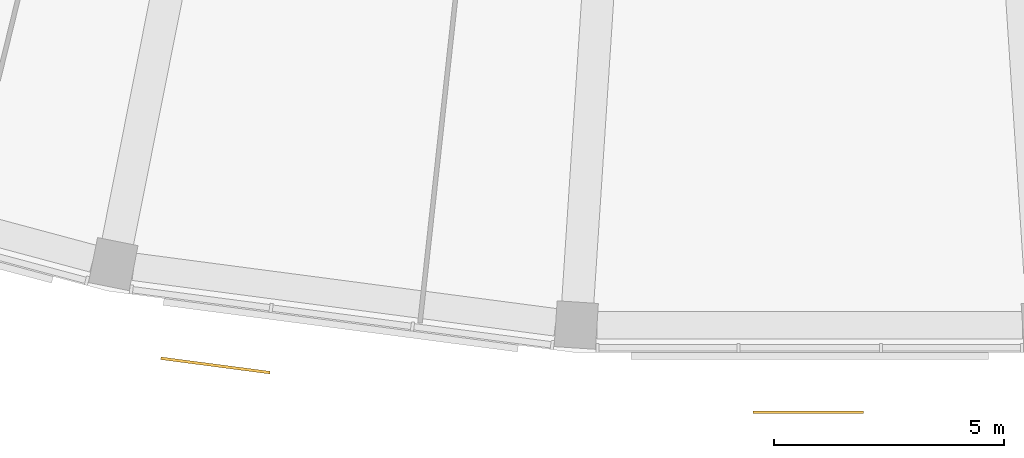
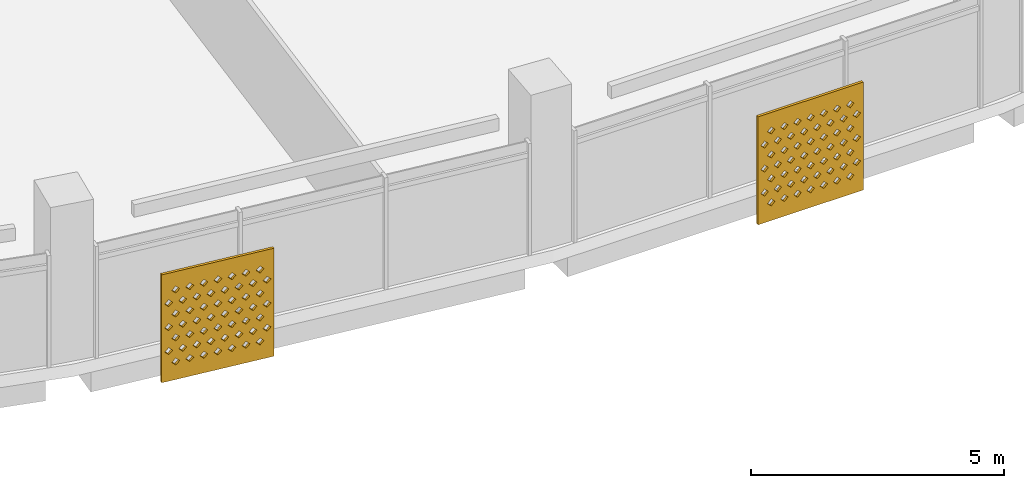
# One storey, part 25 of 29: 2 shading devices.
"""IFC4 building model written with IfcOpenShell, lengths in metres."""

from ifc_helpers import new_model, si_unit, direction, frame, origin, place, context, subcontext, project, spatial, polyline, outline, extrude, material, material_profile, profile_set, type_object, element, save


model = new_model("IFC4")

# Units and contexts
model_context = context("Model", 3, precision=1e-05, world=origin(), true_north=direction((0.0, 1.0)))
body_context = subcontext(model_context, "Body", "Model", "MODEL_VIEW")
ifc_project = project(units=[si_unit("LENGTHUNIT", "METRE"), si_unit("AREAUNIT", "SQUARE_METRE"), si_unit("VOLUMEUNIT", "CUBIC_METRE"), si_unit("PLANEANGLEUNIT", "RADIAN"), si_unit("MASSUNIT", "GRAM", prefix="KILO")], contexts=[model_context])

# Site, building, storey
site_placement = place(None, origin())
site = spatial("IfcSite", under=ifc_project, at=site_placement, CompositionType="ELEMENT")
building_placement = place(site_placement, origin())
building = spatial("IfcBuilding", under=site, at=building_placement, Name="Qamariyya Broadcast Tower", CompositionType="ELEMENT")
storey_placement = place(building_placement, frame((0.0, 0.0, 261.89990234375)))
storey = spatial("IfcBuildingStorey", under=building, at=storey_placement, Name="L63", CompositionType="ELEMENT", Elevation=261.89990234375)

# Shading devices
ifc_material = material(Name="Perforated glazed terracotta", Category="masonry")
ifc_material_profile = material_profile(ifc_material, outline(polyline([(-1.199951171875, -1.300048828125), (1.199951171875, -1.300048828125), (1.199951171875, 1.300048828125), (-1.199951171875, 1.300048828125), (-1.199951171875, -1.300048828125)]), holes=[polyline([(-0.81494140625, -0.86669921875), (-0.89990234375, -0.78173828125), (-0.985107421875, -0.86669921875), (-0.89990234375, -0.95166015625), (-0.81494140625, -0.86669921875)]), polyline([(-0.514892578125, -0.86669921875), (-0.60009765625, -0.78173828125), (-0.68505859375, -0.86669921875), (-0.60009765625, -0.95166015625), (-0.514892578125, -0.86669921875)]), polyline([(-0.215087890625, -0.86669921875), (-0.300048828125, -0.78173828125), (-0.385009765625, -0.86669921875), (-0.300048828125, -0.95166015625), (-0.215087890625, -0.86669921875)]), polyline([(0.0849609375, -0.86669921875), (0.0, -0.78173828125), (-0.0849609375, -0.86669921875), (0.0, -0.95166015625), (0.0849609375, -0.86669921875)]), polyline([(0.385009765625, -0.86669921875), (0.300048828125, -0.78173828125), (0.215087890625, -0.86669921875), (0.300048828125, -0.95166015625), (0.385009765625, -0.86669921875)]), polyline([(0.68505859375, -0.86669921875), (0.60009765625, -0.78173828125), (0.514892578125, -0.86669921875), (0.60009765625, -0.95166015625), (0.68505859375, -0.86669921875)]), polyline([(0.985107421875, -0.86669921875), (0.89990234375, -0.78173828125), (0.81494140625, -0.86669921875), (0.89990234375, -0.95166015625), (0.985107421875, -0.86669921875)]), polyline([(-0.965087890625, -0.577880859375), (-1.050048828125, -0.49267578125), (-1.135009765625, -0.577880859375), (-1.050048828125, -0.662841796875), (-0.965087890625, -0.577880859375)]), polyline([(-0.6650390625, -0.577880859375), (-0.75, -0.49267578125), (-0.8349609375, -0.577880859375), (-0.75, -0.662841796875), (-0.6650390625, -0.577880859375)]), polyline([(-0.364990234375, -0.577880859375), (-0.449951171875, -0.49267578125), (-0.534912109375, -0.577880859375), (-0.449951171875, -0.662841796875), (-0.364990234375, -0.577880859375)]), polyline([(-0.06494140625, -0.577880859375), (-0.14990234375, -0.49267578125), (-0.235107421875, -0.577880859375), (-0.14990234375, -0.662841796875), (-0.06494140625, -0.577880859375)]), polyline([(0.235107421875, -0.577880859375), (0.14990234375, -0.49267578125), (0.06494140625, -0.577880859375), (0.14990234375, -0.662841796875), (0.235107421875, -0.577880859375)]), polyline([(0.534912109375, -0.577880859375), (0.449951171875, -0.49267578125), (0.364990234375, -0.577880859375), (0.449951171875, -0.662841796875), (0.534912109375, -0.577880859375)]), polyline([(0.8349609375, -0.577880859375), (0.75, -0.49267578125), (0.6650390625, -0.577880859375), (0.75, -0.662841796875), (0.8349609375, -0.577880859375)]), polyline([(1.135009765625, -0.577880859375), (1.050048828125, -0.49267578125), (0.965087890625, -0.577880859375), (1.050048828125, -0.662841796875), (1.135009765625, -0.577880859375)]), polyline([(-0.81494140625, -0.288818359375), (-0.89990234375, -0.203857421875), (-0.985107421875, -0.288818359375), (-0.89990234375, -0.373779296875), (-0.81494140625, -0.288818359375)]), polyline([(-0.514892578125, -0.288818359375), (-0.60009765625, -0.203857421875), (-0.68505859375, -0.288818359375), (-0.60009765625, -0.373779296875), (-0.514892578125, -0.288818359375)]), polyline([(-0.215087890625, -0.288818359375), (-0.300048828125, -0.203857421875), (-0.385009765625, -0.288818359375), (-0.300048828125, -0.373779296875), (-0.215087890625, -0.288818359375)]), polyline([(0.0849609375, -0.288818359375), (0.0, -0.203857421875), (-0.0849609375, -0.288818359375), (0.0, -0.373779296875), (0.0849609375, -0.288818359375)]), polyline([(0.385009765625, -0.288818359375), (0.300048828125, -0.203857421875), (0.215087890625, -0.288818359375), (0.300048828125, -0.373779296875), (0.385009765625, -0.288818359375)]), polyline([(0.68505859375, -0.288818359375), (0.60009765625, -0.203857421875), (0.514892578125, -0.288818359375), (0.60009765625, -0.373779296875), (0.68505859375, -0.288818359375)]), polyline([(0.985107421875, -0.288818359375), (0.89990234375, -0.203857421875), (0.81494140625, -0.288818359375), (0.89990234375, -0.373779296875), (0.985107421875, -0.288818359375)]), polyline([(-0.965087890625, 0.0), (-1.050048828125, 0.0849609375), (-1.135009765625, 0.0), (-1.050048828125, -0.0849609375), (-0.965087890625, 0.0)]), polyline([(-0.6650390625, 0.0), (-0.75, 0.0849609375), (-0.8349609375, 0.0), (-0.75, -0.0849609375), (-0.6650390625, 0.0)]), polyline([(-0.364990234375, 0.0), (-0.449951171875, 0.0849609375), (-0.534912109375, 0.0), (-0.449951171875, -0.0849609375), (-0.364990234375, 0.0)]), polyline([(-0.06494140625, 0.0), (-0.14990234375, 0.0849609375), (-0.235107421875, 0.0), (-0.14990234375, -0.0849609375), (-0.06494140625, 0.0)]), polyline([(0.235107421875, 0.0), (0.14990234375, 0.0849609375), (0.06494140625, 0.0), (0.14990234375, -0.0849609375), (0.235107421875, 0.0)]), polyline([(0.534912109375, 0.0), (0.449951171875, 0.0849609375), (0.364990234375, 0.0), (0.449951171875, -0.0849609375), (0.534912109375, 0.0)]), polyline([(0.8349609375, 0.0), (0.75, 0.0849609375), (0.6650390625, 0.0), (0.75, -0.0849609375), (0.8349609375, 0.0)]), polyline([(1.135009765625, 0.0), (1.050048828125, 0.0849609375), (0.965087890625, 0.0), (1.050048828125, -0.0849609375), (1.135009765625, 0.0)]), polyline([(-0.81494140625, 0.288818359375), (-0.89990234375, 0.373779296875), (-0.985107421875, 0.288818359375), (-0.89990234375, 0.203857421875), (-0.81494140625, 0.288818359375)]), polyline([(-0.514892578125, 0.288818359375), (-0.60009765625, 0.373779296875), (-0.68505859375, 0.288818359375), (-0.60009765625, 0.203857421875), (-0.514892578125, 0.288818359375)]), polyline([(-0.215087890625, 0.288818359375), (-0.300048828125, 0.373779296875), (-0.385009765625, 0.288818359375), (-0.300048828125, 0.203857421875), (-0.215087890625, 0.288818359375)]), polyline([(0.0849609375, 0.288818359375), (0.0, 0.373779296875), (-0.0849609375, 0.288818359375), (0.0, 0.203857421875), (0.0849609375, 0.288818359375)]), polyline([(0.385009765625, 0.288818359375), (0.300048828125, 0.373779296875), (0.215087890625, 0.288818359375), (0.300048828125, 0.203857421875), (0.385009765625, 0.288818359375)]), polyline([(0.68505859375, 0.288818359375), (0.60009765625, 0.373779296875), (0.514892578125, 0.288818359375), (0.60009765625, 0.203857421875), (0.68505859375, 0.288818359375)]), polyline([(0.985107421875, 0.288818359375), (0.89990234375, 0.373779296875), (0.81494140625, 0.288818359375), (0.89990234375, 0.203857421875), (0.985107421875, 0.288818359375)]), polyline([(-0.965087890625, 0.577880859375), (-1.050048828125, 0.662841796875), (-1.135009765625, 0.577880859375), (-1.050048828125, 0.49267578125), (-0.965087890625, 0.577880859375)]), polyline([(-0.6650390625, 0.577880859375), (-0.75, 0.662841796875), (-0.8349609375, 0.577880859375), (-0.75, 0.49267578125), (-0.6650390625, 0.577880859375)]), polyline([(-0.364990234375, 0.577880859375), (-0.449951171875, 0.662841796875), (-0.534912109375, 0.577880859375), (-0.449951171875, 0.49267578125), (-0.364990234375, 0.577880859375)]), polyline([(-0.06494140625, 0.577880859375), (-0.14990234375, 0.662841796875), (-0.235107421875, 0.577880859375), (-0.14990234375, 0.49267578125), (-0.06494140625, 0.577880859375)]), polyline([(0.235107421875, 0.577880859375), (0.14990234375, 0.662841796875), (0.06494140625, 0.577880859375), (0.14990234375, 0.49267578125), (0.235107421875, 0.577880859375)]), polyline([(0.534912109375, 0.577880859375), (0.449951171875, 0.662841796875), (0.364990234375, 0.577880859375), (0.449951171875, 0.49267578125), (0.534912109375, 0.577880859375)]), polyline([(0.8349609375, 0.577880859375), (0.75, 0.662841796875), (0.6650390625, 0.577880859375), (0.75, 0.49267578125), (0.8349609375, 0.577880859375)]), polyline([(1.135009765625, 0.577880859375), (1.050048828125, 0.662841796875), (0.965087890625, 0.577880859375), (1.050048828125, 0.49267578125), (1.135009765625, 0.577880859375)]), polyline([(-0.81494140625, 0.86669921875), (-0.89990234375, 0.95166015625), (-0.985107421875, 0.86669921875), (-0.89990234375, 0.78173828125), (-0.81494140625, 0.86669921875)]), polyline([(-0.514892578125, 0.86669921875), (-0.60009765625, 0.95166015625), (-0.68505859375, 0.86669921875), (-0.60009765625, 0.78173828125), (-0.514892578125, 0.86669921875)]), polyline([(-0.215087890625, 0.86669921875), (-0.300048828125, 0.95166015625), (-0.385009765625, 0.86669921875), (-0.300048828125, 0.78173828125), (-0.215087890625, 0.86669921875)]), polyline([(0.0849609375, 0.86669921875), (0.0, 0.95166015625), (-0.0849609375, 0.86669921875), (0.0, 0.78173828125), (0.0849609375, 0.86669921875)]), polyline([(0.385009765625, 0.86669921875), (0.300048828125, 0.95166015625), (0.215087890625, 0.86669921875), (0.300048828125, 0.78173828125), (0.385009765625, 0.86669921875)]), polyline([(0.68505859375, 0.86669921875), (0.60009765625, 0.95166015625), (0.514892578125, 0.86669921875), (0.60009765625, 0.78173828125), (0.68505859375, 0.86669921875)]), polyline([(0.985107421875, 0.86669921875), (0.89990234375, 0.95166015625), (0.81494140625, 0.86669921875), (0.89990234375, 0.78173828125), (0.985107421875, 0.86669921875)])]))
ifc_profile_set = profile_set([ifc_material_profile], Name="Perforated glazed terracotta")
shading_device_type = type_object("IfcShadingDeviceType", Name="Perforated terracotta screen 2400 x 2600", PredefinedType="USERDEFINED", material=ifc_profile_set)
shading_device_1_placement = place(storey_placement, frame((-12.941650390625, -78.43408203125, 1.35009765625), z_axis=(-0.13056005306, -0.991440402921, 0.0), x_axis=(0.991440402921, -0.13056005306, 0.0)))
element("IfcShadingDevice", 1, at=shading_device_1_placement, inside=storey, type_object=shading_device_type, Name="e-scr-L63-06-0", ObjectType="SCREEN", PredefinedType="USERDEFINED", context=body_context, shape_type="SweptSolid", body=[
    extrude(outline(polyline([(-1.199951171875, -1.300048828125), (1.199951171875, -1.300048828125), (1.199951171875, 1.300048828125), (-1.199951171875, 1.300048828125), (-1.199951171875, -1.300048828125)]), holes=[polyline([(-0.81494140625, -0.86669921875), (-0.89990234375, -0.78173828125), (-0.985107421875, -0.86669921875), (-0.89990234375, -0.95166015625), (-0.81494140625, -0.86669921875)]), polyline([(-0.514892578125, -0.86669921875), (-0.60009765625, -0.78173828125), (-0.68505859375, -0.86669921875), (-0.60009765625, -0.95166015625), (-0.514892578125, -0.86669921875)]), polyline([(-0.215087890625, -0.86669921875), (-0.300048828125, -0.78173828125), (-0.385009765625, -0.86669921875), (-0.300048828125, -0.95166015625), (-0.215087890625, -0.86669921875)]), polyline([(0.0849609375, -0.86669921875), (0.0, -0.78173828125), (-0.0849609375, -0.86669921875), (0.0, -0.95166015625), (0.0849609375, -0.86669921875)]), polyline([(0.385009765625, -0.86669921875), (0.300048828125, -0.78173828125), (0.215087890625, -0.86669921875), (0.300048828125, -0.95166015625), (0.385009765625, -0.86669921875)]), polyline([(0.68505859375, -0.86669921875), (0.60009765625, -0.78173828125), (0.514892578125, -0.86669921875), (0.60009765625, -0.95166015625), (0.68505859375, -0.86669921875)]), polyline([(0.985107421875, -0.86669921875), (0.89990234375, -0.78173828125), (0.81494140625, -0.86669921875), (0.89990234375, -0.95166015625), (0.985107421875, -0.86669921875)]), polyline([(-0.965087890625, -0.577880859375), (-1.050048828125, -0.49267578125), (-1.135009765625, -0.577880859375), (-1.050048828125, -0.662841796875), (-0.965087890625, -0.577880859375)]), polyline([(-0.6650390625, -0.577880859375), (-0.75, -0.49267578125), (-0.8349609375, -0.577880859375), (-0.75, -0.662841796875), (-0.6650390625, -0.577880859375)]), polyline([(-0.364990234375, -0.577880859375), (-0.449951171875, -0.49267578125), (-0.534912109375, -0.577880859375), (-0.449951171875, -0.662841796875), (-0.364990234375, -0.577880859375)]), polyline([(-0.06494140625, -0.577880859375), (-0.14990234375, -0.49267578125), (-0.235107421875, -0.577880859375), (-0.14990234375, -0.662841796875), (-0.06494140625, -0.577880859375)]), polyline([(0.235107421875, -0.577880859375), (0.14990234375, -0.49267578125), (0.06494140625, -0.577880859375), (0.14990234375, -0.662841796875), (0.235107421875, -0.577880859375)]), polyline([(0.534912109375, -0.577880859375), (0.449951171875, -0.49267578125), (0.364990234375, -0.577880859375), (0.449951171875, -0.662841796875), (0.534912109375, -0.577880859375)]), polyline([(0.8349609375, -0.577880859375), (0.75, -0.49267578125), (0.6650390625, -0.577880859375), (0.75, -0.662841796875), (0.8349609375, -0.577880859375)]), polyline([(1.135009765625, -0.577880859375), (1.050048828125, -0.49267578125), (0.965087890625, -0.577880859375), (1.050048828125, -0.662841796875), (1.135009765625, -0.577880859375)]), polyline([(-0.81494140625, -0.288818359375), (-0.89990234375, -0.203857421875), (-0.985107421875, -0.288818359375), (-0.89990234375, -0.373779296875), (-0.81494140625, -0.288818359375)]), polyline([(-0.514892578125, -0.288818359375), (-0.60009765625, -0.203857421875), (-0.68505859375, -0.288818359375), (-0.60009765625, -0.373779296875), (-0.514892578125, -0.288818359375)]), polyline([(-0.215087890625, -0.288818359375), (-0.300048828125, -0.203857421875), (-0.385009765625, -0.288818359375), (-0.300048828125, -0.373779296875), (-0.215087890625, -0.288818359375)]), polyline([(0.0849609375, -0.288818359375), (0.0, -0.203857421875), (-0.0849609375, -0.288818359375), (0.0, -0.373779296875), (0.0849609375, -0.288818359375)]), polyline([(0.385009765625, -0.288818359375), (0.300048828125, -0.203857421875), (0.215087890625, -0.288818359375), (0.300048828125, -0.373779296875), (0.385009765625, -0.288818359375)]), polyline([(0.68505859375, -0.288818359375), (0.60009765625, -0.203857421875), (0.514892578125, -0.288818359375), (0.60009765625, -0.373779296875), (0.68505859375, -0.288818359375)]), polyline([(0.985107421875, -0.288818359375), (0.89990234375, -0.203857421875), (0.81494140625, -0.288818359375), (0.89990234375, -0.373779296875), (0.985107421875, -0.288818359375)]), polyline([(-0.965087890625, 0.0), (-1.050048828125, 0.0849609375), (-1.135009765625, 0.0), (-1.050048828125, -0.0849609375), (-0.965087890625, 0.0)]), polyline([(-0.6650390625, 0.0), (-0.75, 0.0849609375), (-0.8349609375, 0.0), (-0.75, -0.0849609375), (-0.6650390625, 0.0)]), polyline([(-0.364990234375, 0.0), (-0.449951171875, 0.0849609375), (-0.534912109375, 0.0), (-0.449951171875, -0.0849609375), (-0.364990234375, 0.0)]), polyline([(-0.06494140625, 0.0), (-0.14990234375, 0.0849609375), (-0.235107421875, 0.0), (-0.14990234375, -0.0849609375), (-0.06494140625, 0.0)]), polyline([(0.235107421875, 0.0), (0.14990234375, 0.0849609375), (0.06494140625, 0.0), (0.14990234375, -0.0849609375), (0.235107421875, 0.0)]), polyline([(0.534912109375, 0.0), (0.449951171875, 0.0849609375), (0.364990234375, 0.0), (0.449951171875, -0.0849609375), (0.534912109375, 0.0)]), polyline([(0.8349609375, 0.0), (0.75, 0.0849609375), (0.6650390625, 0.0), (0.75, -0.0849609375), (0.8349609375, 0.0)]), polyline([(1.135009765625, 0.0), (1.050048828125, 0.0849609375), (0.965087890625, 0.0), (1.050048828125, -0.0849609375), (1.135009765625, 0.0)]), polyline([(-0.81494140625, 0.288818359375), (-0.89990234375, 0.373779296875), (-0.985107421875, 0.288818359375), (-0.89990234375, 0.203857421875), (-0.81494140625, 0.288818359375)]), polyline([(-0.514892578125, 0.288818359375), (-0.60009765625, 0.373779296875), (-0.68505859375, 0.288818359375), (-0.60009765625, 0.203857421875), (-0.514892578125, 0.288818359375)]), polyline([(-0.215087890625, 0.288818359375), (-0.300048828125, 0.373779296875), (-0.385009765625, 0.288818359375), (-0.300048828125, 0.203857421875), (-0.215087890625, 0.288818359375)]), polyline([(0.0849609375, 0.288818359375), (0.0, 0.373779296875), (-0.0849609375, 0.288818359375), (0.0, 0.203857421875), (0.0849609375, 0.288818359375)]), polyline([(0.385009765625, 0.288818359375), (0.300048828125, 0.373779296875), (0.215087890625, 0.288818359375), (0.300048828125, 0.203857421875), (0.385009765625, 0.288818359375)]), polyline([(0.68505859375, 0.288818359375), (0.60009765625, 0.373779296875), (0.514892578125, 0.288818359375), (0.60009765625, 0.203857421875), (0.68505859375, 0.288818359375)]), polyline([(0.985107421875, 0.288818359375), (0.89990234375, 0.373779296875), (0.81494140625, 0.288818359375), (0.89990234375, 0.203857421875), (0.985107421875, 0.288818359375)]), polyline([(-0.965087890625, 0.577880859375), (-1.050048828125, 0.662841796875), (-1.135009765625, 0.577880859375), (-1.050048828125, 0.49267578125), (-0.965087890625, 0.577880859375)]), polyline([(-0.6650390625, 0.577880859375), (-0.75, 0.662841796875), (-0.8349609375, 0.577880859375), (-0.75, 0.49267578125), (-0.6650390625, 0.577880859375)]), polyline([(-0.364990234375, 0.577880859375), (-0.449951171875, 0.662841796875), (-0.534912109375, 0.577880859375), (-0.449951171875, 0.49267578125), (-0.364990234375, 0.577880859375)]), polyline([(-0.06494140625, 0.577880859375), (-0.14990234375, 0.662841796875), (-0.235107421875, 0.577880859375), (-0.14990234375, 0.49267578125), (-0.06494140625, 0.577880859375)]), polyline([(0.235107421875, 0.577880859375), (0.14990234375, 0.662841796875), (0.06494140625, 0.577880859375), (0.14990234375, 0.49267578125), (0.235107421875, 0.577880859375)]), polyline([(0.534912109375, 0.577880859375), (0.449951171875, 0.662841796875), (0.364990234375, 0.577880859375), (0.449951171875, 0.49267578125), (0.534912109375, 0.577880859375)]), polyline([(0.8349609375, 0.577880859375), (0.75, 0.662841796875), (0.6650390625, 0.577880859375), (0.75, 0.49267578125), (0.8349609375, 0.577880859375)]), polyline([(1.135009765625, 0.577880859375), (1.050048828125, 0.662841796875), (0.965087890625, 0.577880859375), (1.050048828125, 0.49267578125), (1.135009765625, 0.577880859375)]), polyline([(-0.81494140625, 0.86669921875), (-0.89990234375, 0.95166015625), (-0.985107421875, 0.86669921875), (-0.89990234375, 0.78173828125), (-0.81494140625, 0.86669921875)]), polyline([(-0.514892578125, 0.86669921875), (-0.60009765625, 0.95166015625), (-0.68505859375, 0.86669921875), (-0.60009765625, 0.78173828125), (-0.514892578125, 0.86669921875)]), polyline([(-0.215087890625, 0.86669921875), (-0.300048828125, 0.95166015625), (-0.385009765625, 0.86669921875), (-0.300048828125, 0.78173828125), (-0.215087890625, 0.86669921875)]), polyline([(0.0849609375, 0.86669921875), (0.0, 0.95166015625), (-0.0849609375, 0.86669921875), (0.0, 0.78173828125), (0.0849609375, 0.86669921875)]), polyline([(0.385009765625, 0.86669921875), (0.300048828125, 0.95166015625), (0.215087890625, 0.86669921875), (0.300048828125, 0.78173828125), (0.385009765625, 0.86669921875)]), polyline([(0.68505859375, 0.86669921875), (0.60009765625, 0.95166015625), (0.514892578125, 0.86669921875), (0.60009765625, 0.78173828125), (0.68505859375, 0.86669921875)]), polyline([(0.985107421875, 0.86669921875), (0.89990234375, 0.95166015625), (0.81494140625, 0.86669921875), (0.89990234375, 0.78173828125), (0.985107421875, 0.86669921875)])]), origin(), (0.0, 0.0, 1.0), 0.059814453125),
])
shading_device_2_placement = place(storey_placement, frame((-0.031005859375, -79.4521484375, 1.35009765625), z_axis=(0.0, -1.0, 0.0), x_axis=(1.0, 0.0, 0.0)))
element("IfcShadingDevice", 2, at=shading_device_2_placement, inside=storey, type_object=shading_device_type, Name="e-scr-L63-07-1", ObjectType="SCREEN", PredefinedType="USERDEFINED", context=body_context, shape_type="SweptSolid", body=[
    extrude(outline(polyline([(-1.199951171875, -1.300048828125), (1.199951171875, -1.300048828125), (1.199951171875, 1.300048828125), (-1.199951171875, 1.300048828125), (-1.199951171875, -1.300048828125)]), holes=[polyline([(-0.81494140625, -0.86669921875), (-0.89990234375, -0.78173828125), (-0.985107421875, -0.86669921875), (-0.89990234375, -0.95166015625), (-0.81494140625, -0.86669921875)]), polyline([(-0.514892578125, -0.86669921875), (-0.60009765625, -0.78173828125), (-0.68505859375, -0.86669921875), (-0.60009765625, -0.95166015625), (-0.514892578125, -0.86669921875)]), polyline([(-0.215087890625, -0.86669921875), (-0.300048828125, -0.78173828125), (-0.385009765625, -0.86669921875), (-0.300048828125, -0.95166015625), (-0.215087890625, -0.86669921875)]), polyline([(0.0849609375, -0.86669921875), (0.0, -0.78173828125), (-0.0849609375, -0.86669921875), (0.0, -0.95166015625), (0.0849609375, -0.86669921875)]), polyline([(0.385009765625, -0.86669921875), (0.300048828125, -0.78173828125), (0.215087890625, -0.86669921875), (0.300048828125, -0.95166015625), (0.385009765625, -0.86669921875)]), polyline([(0.68505859375, -0.86669921875), (0.60009765625, -0.78173828125), (0.514892578125, -0.86669921875), (0.60009765625, -0.95166015625), (0.68505859375, -0.86669921875)]), polyline([(0.985107421875, -0.86669921875), (0.89990234375, -0.78173828125), (0.81494140625, -0.86669921875), (0.89990234375, -0.95166015625), (0.985107421875, -0.86669921875)]), polyline([(-0.965087890625, -0.577880859375), (-1.050048828125, -0.49267578125), (-1.135009765625, -0.577880859375), (-1.050048828125, -0.662841796875), (-0.965087890625, -0.577880859375)]), polyline([(-0.6650390625, -0.577880859375), (-0.75, -0.49267578125), (-0.8349609375, -0.577880859375), (-0.75, -0.662841796875), (-0.6650390625, -0.577880859375)]), polyline([(-0.364990234375, -0.577880859375), (-0.449951171875, -0.49267578125), (-0.534912109375, -0.577880859375), (-0.449951171875, -0.662841796875), (-0.364990234375, -0.577880859375)]), polyline([(-0.06494140625, -0.577880859375), (-0.14990234375, -0.49267578125), (-0.235107421875, -0.577880859375), (-0.14990234375, -0.662841796875), (-0.06494140625, -0.577880859375)]), polyline([(0.235107421875, -0.577880859375), (0.14990234375, -0.49267578125), (0.06494140625, -0.577880859375), (0.14990234375, -0.662841796875), (0.235107421875, -0.577880859375)]), polyline([(0.534912109375, -0.577880859375), (0.449951171875, -0.49267578125), (0.364990234375, -0.577880859375), (0.449951171875, -0.662841796875), (0.534912109375, -0.577880859375)]), polyline([(0.8349609375, -0.577880859375), (0.75, -0.49267578125), (0.6650390625, -0.577880859375), (0.75, -0.662841796875), (0.8349609375, -0.577880859375)]), polyline([(1.135009765625, -0.577880859375), (1.050048828125, -0.49267578125), (0.965087890625, -0.577880859375), (1.050048828125, -0.662841796875), (1.135009765625, -0.577880859375)]), polyline([(-0.81494140625, -0.288818359375), (-0.89990234375, -0.203857421875), (-0.985107421875, -0.288818359375), (-0.89990234375, -0.373779296875), (-0.81494140625, -0.288818359375)]), polyline([(-0.514892578125, -0.288818359375), (-0.60009765625, -0.203857421875), (-0.68505859375, -0.288818359375), (-0.60009765625, -0.373779296875), (-0.514892578125, -0.288818359375)]), polyline([(-0.215087890625, -0.288818359375), (-0.300048828125, -0.203857421875), (-0.385009765625, -0.288818359375), (-0.300048828125, -0.373779296875), (-0.215087890625, -0.288818359375)]), polyline([(0.0849609375, -0.288818359375), (0.0, -0.203857421875), (-0.0849609375, -0.288818359375), (0.0, -0.373779296875), (0.0849609375, -0.288818359375)]), polyline([(0.385009765625, -0.288818359375), (0.300048828125, -0.203857421875), (0.215087890625, -0.288818359375), (0.300048828125, -0.373779296875), (0.385009765625, -0.288818359375)]), polyline([(0.68505859375, -0.288818359375), (0.60009765625, -0.203857421875), (0.514892578125, -0.288818359375), (0.60009765625, -0.373779296875), (0.68505859375, -0.288818359375)]), polyline([(0.985107421875, -0.288818359375), (0.89990234375, -0.203857421875), (0.81494140625, -0.288818359375), (0.89990234375, -0.373779296875), (0.985107421875, -0.288818359375)]), polyline([(-0.965087890625, 0.0), (-1.050048828125, 0.0849609375), (-1.135009765625, 0.0), (-1.050048828125, -0.0849609375), (-0.965087890625, 0.0)]), polyline([(-0.6650390625, 0.0), (-0.75, 0.0849609375), (-0.8349609375, 0.0), (-0.75, -0.0849609375), (-0.6650390625, 0.0)]), polyline([(-0.364990234375, 0.0), (-0.449951171875, 0.0849609375), (-0.534912109375, 0.0), (-0.449951171875, -0.0849609375), (-0.364990234375, 0.0)]), polyline([(-0.06494140625, 0.0), (-0.14990234375, 0.0849609375), (-0.235107421875, 0.0), (-0.14990234375, -0.0849609375), (-0.06494140625, 0.0)]), polyline([(0.235107421875, 0.0), (0.14990234375, 0.0849609375), (0.06494140625, 0.0), (0.14990234375, -0.0849609375), (0.235107421875, 0.0)]), polyline([(0.534912109375, 0.0), (0.449951171875, 0.0849609375), (0.364990234375, 0.0), (0.449951171875, -0.0849609375), (0.534912109375, 0.0)]), polyline([(0.8349609375, 0.0), (0.75, 0.0849609375), (0.6650390625, 0.0), (0.75, -0.0849609375), (0.8349609375, 0.0)]), polyline([(1.135009765625, 0.0), (1.050048828125, 0.0849609375), (0.965087890625, 0.0), (1.050048828125, -0.0849609375), (1.135009765625, 0.0)]), polyline([(-0.81494140625, 0.288818359375), (-0.89990234375, 0.373779296875), (-0.985107421875, 0.288818359375), (-0.89990234375, 0.203857421875), (-0.81494140625, 0.288818359375)]), polyline([(-0.514892578125, 0.288818359375), (-0.60009765625, 0.373779296875), (-0.68505859375, 0.288818359375), (-0.60009765625, 0.203857421875), (-0.514892578125, 0.288818359375)]), polyline([(-0.215087890625, 0.288818359375), (-0.300048828125, 0.373779296875), (-0.385009765625, 0.288818359375), (-0.300048828125, 0.203857421875), (-0.215087890625, 0.288818359375)]), polyline([(0.0849609375, 0.288818359375), (0.0, 0.373779296875), (-0.0849609375, 0.288818359375), (0.0, 0.203857421875), (0.0849609375, 0.288818359375)]), polyline([(0.385009765625, 0.288818359375), (0.300048828125, 0.373779296875), (0.215087890625, 0.288818359375), (0.300048828125, 0.203857421875), (0.385009765625, 0.288818359375)]), polyline([(0.68505859375, 0.288818359375), (0.60009765625, 0.373779296875), (0.514892578125, 0.288818359375), (0.60009765625, 0.203857421875), (0.68505859375, 0.288818359375)]), polyline([(0.985107421875, 0.288818359375), (0.89990234375, 0.373779296875), (0.81494140625, 0.288818359375), (0.89990234375, 0.203857421875), (0.985107421875, 0.288818359375)]), polyline([(-0.965087890625, 0.577880859375), (-1.050048828125, 0.662841796875), (-1.135009765625, 0.577880859375), (-1.050048828125, 0.49267578125), (-0.965087890625, 0.577880859375)]), polyline([(-0.6650390625, 0.577880859375), (-0.75, 0.662841796875), (-0.8349609375, 0.577880859375), (-0.75, 0.49267578125), (-0.6650390625, 0.577880859375)]), polyline([(-0.364990234375, 0.577880859375), (-0.449951171875, 0.662841796875), (-0.534912109375, 0.577880859375), (-0.449951171875, 0.49267578125), (-0.364990234375, 0.577880859375)]), polyline([(-0.06494140625, 0.577880859375), (-0.14990234375, 0.662841796875), (-0.235107421875, 0.577880859375), (-0.14990234375, 0.49267578125), (-0.06494140625, 0.577880859375)]), polyline([(0.235107421875, 0.577880859375), (0.14990234375, 0.662841796875), (0.06494140625, 0.577880859375), (0.14990234375, 0.49267578125), (0.235107421875, 0.577880859375)]), polyline([(0.534912109375, 0.577880859375), (0.449951171875, 0.662841796875), (0.364990234375, 0.577880859375), (0.449951171875, 0.49267578125), (0.534912109375, 0.577880859375)]), polyline([(0.8349609375, 0.577880859375), (0.75, 0.662841796875), (0.6650390625, 0.577880859375), (0.75, 0.49267578125), (0.8349609375, 0.577880859375)]), polyline([(1.135009765625, 0.577880859375), (1.050048828125, 0.662841796875), (0.965087890625, 0.577880859375), (1.050048828125, 0.49267578125), (1.135009765625, 0.577880859375)]), polyline([(-0.81494140625, 0.86669921875), (-0.89990234375, 0.95166015625), (-0.985107421875, 0.86669921875), (-0.89990234375, 0.78173828125), (-0.81494140625, 0.86669921875)]), polyline([(-0.514892578125, 0.86669921875), (-0.60009765625, 0.95166015625), (-0.68505859375, 0.86669921875), (-0.60009765625, 0.78173828125), (-0.514892578125, 0.86669921875)]), polyline([(-0.215087890625, 0.86669921875), (-0.300048828125, 0.95166015625), (-0.385009765625, 0.86669921875), (-0.300048828125, 0.78173828125), (-0.215087890625, 0.86669921875)]), polyline([(0.0849609375, 0.86669921875), (0.0, 0.95166015625), (-0.0849609375, 0.86669921875), (0.0, 0.78173828125), (0.0849609375, 0.86669921875)]), polyline([(0.385009765625, 0.86669921875), (0.300048828125, 0.95166015625), (0.215087890625, 0.86669921875), (0.300048828125, 0.78173828125), (0.385009765625, 0.86669921875)]), polyline([(0.68505859375, 0.86669921875), (0.60009765625, 0.95166015625), (0.514892578125, 0.86669921875), (0.60009765625, 0.78173828125), (0.68505859375, 0.86669921875)]), polyline([(0.985107421875, 0.86669921875), (0.89990234375, 0.95166015625), (0.81494140625, 0.86669921875), (0.89990234375, 0.78173828125), (0.985107421875, 0.86669921875)])]), origin(), (0.0, 0.0, 1.0), 0.06005859375),
])

save(model, "model.ifc")
